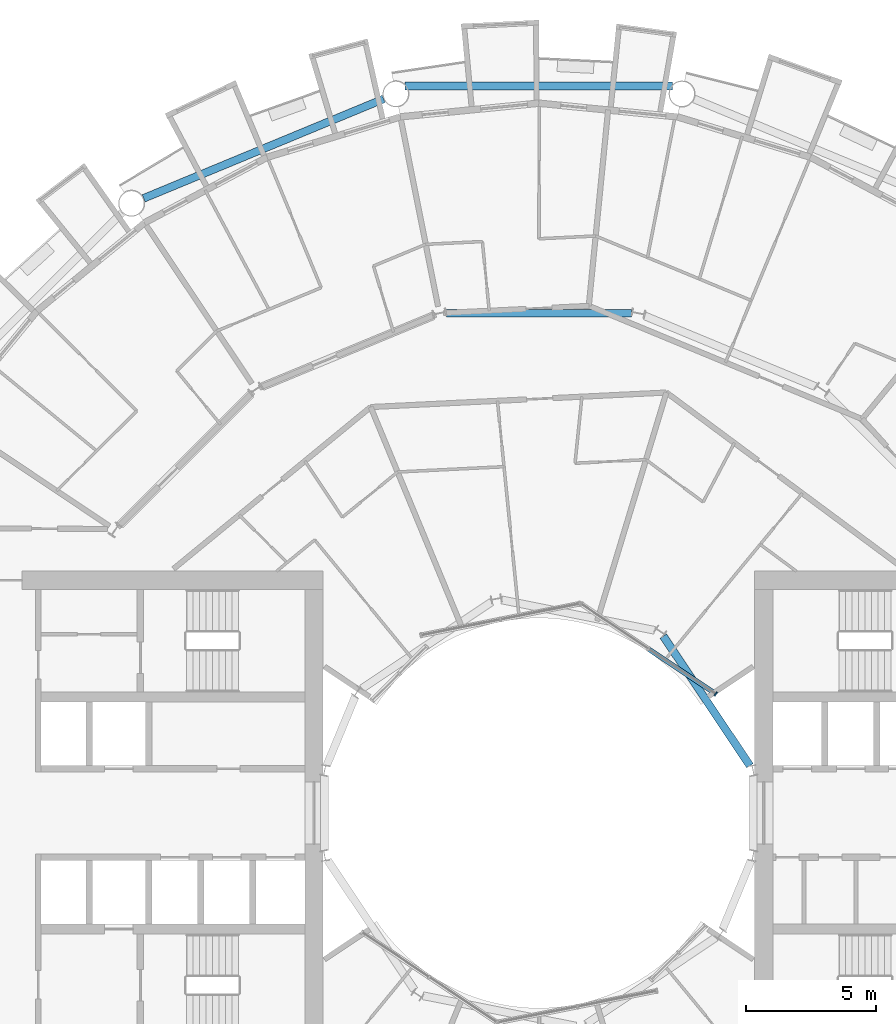
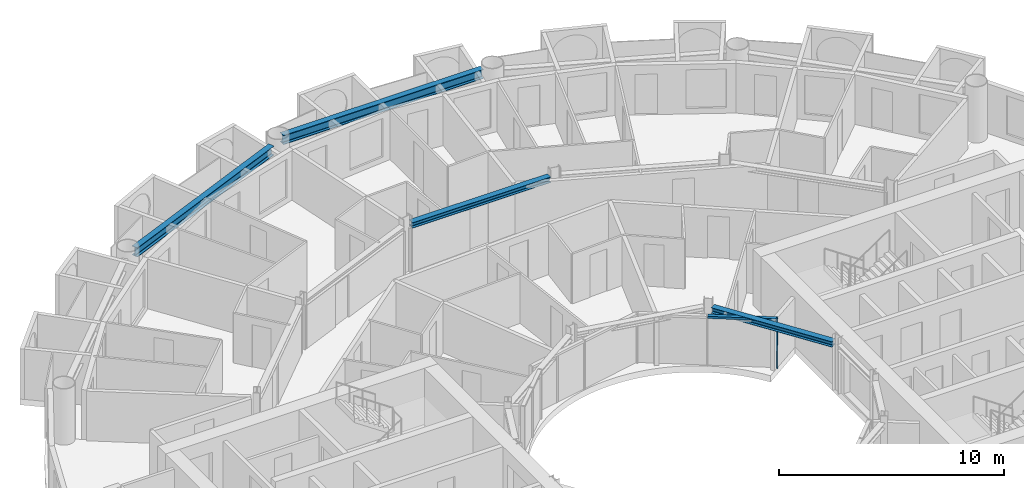
# One storey, part 8 of 26: 4 beams, 2 members, 1 element without a shape of its own.
"""IFC4 building model written with IfcOpenShell, lengths in metres."""

import ifcopenshell
import ifcopenshell.guid

model = None  # the IFC model being written
_history = None  # IfcOwnerHistory: only IFC2X3 demands one
_inside = {}  # id of a spatial element -> (the spatial element, [elements in it])
_under = {}  # id of a project, library or spatial element -> (it, [spatial elements below it])
_declared = {}  # id of a project -> (the project, [libraries it declares])
_typed = {}  # id of a type object -> (the type object, [elements of that type])
_made_of = {}  # id of a material, layer set ... -> (it, [elements and type objects made of it])


def new_model(schema):
    """Start an empty IFC model of exactly this schema.

    Asked for "IFC4X3", IfcOpenShell would pick the latest addendum, in which some entities
    have other attributes; the version numbers below select the first issue.
    IFC2X3 requires an IfcOwnerHistory on every rooted entity: one is made here for all.
    """
    global model, _history
    if schema == "IFC4X3":
        model = ifcopenshell.file(schema_version=(4, 3, 0, 0))
    else:
        model = ifcopenshell.file(schema=schema)
    _inside.clear()
    _under.clear()
    _declared.clear()
    _typed.clear()
    _made_of.clear()
    _history = None
    if model.schema == "IFC2X3":
        org = make("IfcOrganization", Name="unknown")
        user = make(
            "IfcPersonAndOrganization",
            ThePerson=make("IfcPerson", FamilyName="unknown"),
            TheOrganization=org,
        )
        app = make(
            "IfcApplication",
            ApplicationDeveloper=org,
            Version="unknown",
            ApplicationFullName="unknown",
            ApplicationIdentifier="unknown",
        )
        _history = make(
            "IfcOwnerHistory",
            OwningUser=user,
            OwningApplication=app,
            ChangeAction="ADDED",
            CreationDate=0,
        )
    return model


def make(cls, **values):
    """One entity of the class cls with the attributes given. An attribute that is None is left unset."""
    return model.create_entity(
        cls, **{name: value for name, value in values.items() if value is not None}
    )


def rooted(cls, **values):
    """An entity with a GlobalId (a new one), such as an element, a storey or a relation."""
    return make(cls, GlobalId=ifcopenshell.guid.new(), OwnerHistory=_history, **values)


def si_unit(unit_type, name, prefix=None):
    """IfcSIUnit, for example si_unit("LENGTHUNIT", "METRE", prefix="MILLI")."""
    return make("IfcSIUnit", UnitType=unit_type, Prefix=prefix, Name=name)


def assignment(units):
    """IfcUnitAssignment: the units of a project."""
    return None if units is None else make("IfcUnitAssignment", Units=units)


def point(xyz):
    """IfcCartesianPoint."""
    return None if xyz is None else make("IfcCartesianPoint", Coordinates=xyz)


def direction(xyz):
    """IfcDirection."""
    return None if xyz is None else make("IfcDirection", DirectionRatios=xyz)


def frame(location, z_axis=None, x_axis=None):
    """IfcAxis2Placement3D, a coordinate frame: its origin and axes. An axis left out is left unset."""
    return make(
        "IfcAxis2Placement3D",
        Location=point(location),
        Axis=direction(z_axis),
        RefDirection=direction(x_axis),
    )


def frame_2d(location, x_axis=None):
    """IfcAxis2Placement2D, a coordinate frame in the plane: its origin and x axis."""
    return make(
        "IfcAxis2Placement2D", Location=point(location), RefDirection=direction(x_axis)
    )


def origin():
    """The frame at (0, 0, 0) with its axes left unset."""
    return frame((0.0, 0.0, 0.0))


def origin_2d():
    """The frame at (0, 0) in the plane with its x axis left unset."""
    return frame_2d((0.0, 0.0))


def place(relative_to, where):
    """IfcLocalPlacement: puts the frame where relative to a parent placement (None: the world)."""
    return make(
        "IfcLocalPlacement", PlacementRelTo=relative_to, RelativePlacement=where
    )


def context(
    kind, dimensions, precision=None, world=None, true_north=None, identifier=None
):
    """IfcGeometricRepresentationContext, for example the 3D "Model" context."""
    return make(
        "IfcGeometricRepresentationContext",
        ContextIdentifier=identifier,
        ContextType=kind,
        CoordinateSpaceDimension=dimensions,
        Precision=precision,
        WorldCoordinateSystem=world,
        TrueNorth=true_north,
    )


def subcontext(parent, identifier, kind, view, scale=None):
    """IfcGeometricRepresentationSubContext, for example "Body" below "Model"."""
    return make(
        "IfcGeometricRepresentationSubContext",
        ContextIdentifier=identifier,
        ContextType=kind,
        ParentContext=parent,
        TargetScale=scale,
        TargetView=view,
    )


def project(units=None, contexts=None):
    """IfcProject with its units and contexts."""
    return rooted(
        "IfcProject",
        Name="project",
        RepresentationContexts=contexts,
        UnitsInContext=assignment(units),
    )


def spatial(cls, under=None, at=None, **own):
    """A site, building, storey or space (cls), placed at a placement, below another one or the project."""
    s = rooted(cls, ObjectPlacement=at, **own)
    if under is not None:
        _under.setdefault(under.id(), (under, []))[1].append(s)
    return s


def profile(cls, at=None, kind="AREA", **sizes):
    """A parametric profile (cls). Its sizes go by their IFC names, for example OverallWidth=200.0."""
    return make(cls, ProfileType=kind, Position=at, **sizes)


def rectangle(**sizes):
    """IfcRectangleProfileDef."""
    return profile("IfcRectangleProfileDef", **sizes)


def i_section(**sizes):
    """IfcIShapeProfileDef."""
    return profile("IfcIShapeProfileDef", **sizes)


def extrude(swept, where, along, depth):
    """IfcExtrudedAreaSolid: the profile swept, set in the frame where, extruded along a direction by depth."""
    return make(
        "IfcExtrudedAreaSolid",
        SweptArea=swept,
        Position=where,
        ExtrudedDirection=direction(along),
        Depth=depth,
    )


def shape(context_of_items, identifier, shape_type, items):
    """IfcShapeRepresentation: the items that make up one representation, for example the "Body"."""
    return make(
        "IfcShapeRepresentation",
        ContextOfItems=context_of_items,
        RepresentationIdentifier=identifier,
        RepresentationType=shape_type,
        Items=items,
    )


def material(Name=None, Category=None):
    """IfcMaterial."""
    return make("IfcMaterial", Name=Name, Category=Category)


def layer(
    of_material, thickness, ventilated=None, Name=None, Category=None, Priority=None
):
    """IfcMaterialLayer: one layer of a wall or slab, of a material (None: an air gap)."""
    return make(
        "IfcMaterialLayer",
        Material=of_material,
        LayerThickness=thickness,
        IsVentilated=ventilated,
        Name=Name,
        Category=Category,
        Priority=Priority,
    )


def layer_set(layers, Name=None):
    """IfcMaterialLayerSet."""
    return make("IfcMaterialLayerSet", MaterialLayers=layers, LayerSetName=Name)


def material_profile(
    of_material, cross_section, Name=None, Category=None, Priority=None
):
    """IfcMaterialProfile: a cross section and its material."""
    return make(
        "IfcMaterialProfile",
        Name=Name,
        Material=of_material,
        Profile=cross_section,
        Priority=Priority,
        Category=Category,
    )


def profile_set(profiles, Name=None, composite=None):
    """IfcMaterialProfileSet."""
    return make(
        "IfcMaterialProfileSet",
        Name=Name,
        MaterialProfiles=profiles,
        CompositeProfile=composite,
    )


def made_of(thing, what):
    """Note that an element or type object is made of a material, layer set ...; save() writes the relation."""
    if what is not None:
        _made_of.setdefault(what.id(), (what, []))[1].append(thing)
    return thing


def type_object(cls, material=None, **own):
    """A type object (cls), such as IfcWallType, which elements share."""
    return made_of(rooted(cls, **own), material)


def element(
    cls,
    number,
    at=None,
    inside=None,
    cuts=None,
    type_object=None,
    material=None,
    context=None,
    identifier="Body",
    shape_type=None,
    held_by="IfcProductDefinitionShape",
    body=None,
    shapes=None,
    **own,
):
    """One element of the class cls, such as IfcWall. Its Tag is "e" and its number.

    at: its placement. inside: the storey or other place that contains it. cuts: it is an
    opening in that element (IfcRelVoidsElement). A single representation is given by context,
    identifier, shape_type and body (its items); several are given by shapes. held_by: the class
    of the entity that holds the representations. save() writes the other relations.
    """
    e = rooted(cls, Tag="e%d" % number, ObjectPlacement=at, **own)
    if body is not None:
        shapes = [shape(context, identifier, shape_type, body)]
    if shapes is not None:
        e.Representation = make(held_by, Representations=shapes)
    if inside is not None:
        _inside.setdefault(inside.id(), (inside, []))[1].append(e)
    if cuts is not None:
        rooted(
            "IfcRelVoidsElement", RelatingBuildingElement=cuts, RelatedOpeningElement=e
        )
    if type_object is not None:
        _typed.setdefault(type_object.id(), (type_object, []))[1].append(e)
    return made_of(e, material)


def aggregate(whole, parts):
    """IfcRelAggregates: a whole, such as a stair, and the parts it consists of."""
    return rooted("IfcRelAggregates", RelatingObject=whole, RelatedObjects=parts)


def save(model, path):
    """Write the relations noted so far, then the file.

    IfcRelAggregates (storeys below a building ...), IfcRelContainedInSpatialStructure (elements
    in a storey), IfcRelDefinesByType, IfcRelAssociatesMaterial and IfcRelDeclares: one each for
    every whole, place, type object, material and project.
    """
    for whole, parts in _under.values():
        aggregate(whole, parts)
    for where, things in _inside.values():
        rooted(
            "IfcRelContainedInSpatialStructure",
            RelatedElements=things,
            RelatingStructure=where,
        )
    for kind, things in _typed.values():
        rooted("IfcRelDefinesByType", RelatedObjects=things, RelatingType=kind)
    for what, things in _made_of.values():
        rooted("IfcRelAssociatesMaterial", RelatedObjects=things, RelatingMaterial=what)
    for by, libraries in _declared.values():
        rooted("IfcRelDeclares", RelatingContext=by, RelatedDefinitions=libraries)
    model.write(path)


model = new_model("IFC4")

# Units and contexts
model_context = context("Model", 3, precision=1e-05, world=origin(), true_north=direction((0.0, 1.0)))
body_context = subcontext(model_context, "Body", "Model", "MODEL_VIEW")
ifc_project = project(units=[si_unit("LENGTHUNIT", "METRE"), si_unit("AREAUNIT", "SQUARE_METRE"), si_unit("VOLUMEUNIT", "CUBIC_METRE"), si_unit("PLANEANGLEUNIT", "RADIAN"), si_unit("MASSUNIT", "GRAM", prefix="KILO")], contexts=[model_context])

# Site, building, storey
site_placement = place(None, origin())
site = spatial("IfcSite", under=ifc_project, at=site_placement, CompositionType="ELEMENT")
building_placement = place(site_placement, origin())
building = spatial("IfcBuilding", under=site, at=building_placement, Name="Maasbend Ring Residences", CompositionType="ELEMENT")
storey_placement = place(building_placement, frame((0.0, 0.0, 72.75)))
storey = spatial("IfcBuildingStorey", under=building, at=storey_placement, Name="L20", CompositionType="ELEMENT", Elevation=72.75)

# Curtain wall, members
ifc_material_1 = material(Name="Aluminium and clear glass", Category="aluminium")
ifc_layer = layer(ifc_material_1, 0.179931640625)
ifc_layer_set = layer_set([ifc_layer], Name="CW-W")
curtain_wall_type = type_object("IfcCurtainWallType", Name="CW-W", PredefinedType="NOTDEFINED", material=ifc_layer_set)
curtain_wall_placement = place(storey_placement, origin())
curtain_wall = element("IfcCurtainWall", 1, at=curtain_wall_placement, inside=storey, type_object=curtain_wall_type, Name="Well curtain wall N1", PredefinedType="NOTDEFINED")
ifc_material_2 = material(Name="Aluminium 6063-T6", Category="aluminium")
ifc_material_profile_1 = material_profile(ifc_material_2, rectangle(XDim=0.179931640625, YDim=0.06005859375, at=origin_2d()), Name="AL 180x60")
ifc_profile_set_1 = profile_set([ifc_material_profile_1], Name="Aluminium 6063-T6")
member_type_1 = type_object("IfcMemberType", Name="CWM-W", PredefinedType="MULLION", material=ifc_profile_set_1)
member_1_placement = place(storey_placement, frame((6.805908203125, 4.580810546875, 0.0), z_axis=(0.0, 0.0, 1.0), x_axis=(-0.55557023302, -0.831469612303, 0.0)))
member_1 = element("IfcMember", 2, at=member_1_placement, type_object=member_type_1, Name="Mullion well face", PredefinedType="MULLION", context=body_context, shape_type="SweptSolid", body=[
    extrude(rectangle(XDim=0.179931640625, YDim=0.06005859375, at=origin_2d()), origin(), (0.0, 0.0, 1.0), 2.699951171875),
])
ifc_material_3 = material(Name="Aluminium 6063-T6", Category="aluminium")
ifc_material_profile_2 = material_profile(ifc_material_3, rectangle(XDim=0.179931640625, YDim=0.1201171875, at=origin_2d()), Name="AL 180x120")
ifc_profile_set_2 = profile_set([ifc_material_profile_2], Name="Aluminium 6063-T6")
member_type_2 = type_object("IfcMemberType", Name="CWT-W", PredefinedType="USERDEFINED", material=ifc_profile_set_2)
member_2_placement = place(storey_placement, frame((6.781005859375, 4.59765625, 2.639892578125), z_axis=(-0.831496422459, 0.555530106689, 0.0), x_axis=(-0.555530106689, -0.831496422459, 0.0)))
member_2 = element("IfcMember", 3, at=member_2_placement, type_object=member_type_2, Name="Transom well face", ObjectType="TRANSOM", PredefinedType="USERDEFINED", context=body_context, shape_type="SweptSolid", body=[
    extrude(rectangle(XDim=0.179931640625, YDim=0.1201171875, at=origin_2d()), origin(), (0.0, 0.0, 1.0), 3.053955078125),
])
aggregate(curtain_wall, [member_1, member_2])

# Beams
ifc_material_4 = material(Name="Steel S355J2", Category="steel")
ifc_material_profile_3 = material_profile(ifc_material_4, i_section(OverallWidth=0.300048828125, OverallDepth=0.300048828125, WebThickness=0.010986328125, FlangeThickness=0.01904296875, FilletRadius=0.027099609375, at=origin_2d()), Name="HEB 300")
ifc_profile_set_3 = profile_set([ifc_material_profile_3], Name="Steel S355J2")
beam_type_1 = type_object("IfcBeamType", Name="Corridor ring beam HEB 300", PredefinedType="BEAM", material=ifc_profile_set_3)
beam_1_placement = place(storey_placement, frame((3.556640625, 19.223388671875, 2.550048828125), z_axis=(-1.0, 0.0, 0.0), x_axis=(0.0, -1.0, 0.0)))
element("IfcBeam", 4, at=beam_1_placement, inside=storey, type_object=beam_type_1, Name="Corridor ring beam", PredefinedType="BEAM", context=body_context, shape_type="SweptSolid", body=[
    extrude(i_section(OverallWidth=0.300048828125, OverallDepth=0.300048828125, WebThickness=0.010986328125, FlangeThickness=0.01904296875, FilletRadius=0.027099609375, at=origin_2d()), origin(), (0.0, 0.0, 1.0), 7.11328125),
])
ifc_material_5 = material(Name="Steel S355J2", Category="steel")
ifc_material_profile_4 = material_profile(ifc_material_5, i_section(OverallWidth=0.300048828125, OverallDepth=0.5, WebThickness=0.014404296875, FlangeThickness=0.028076171875, FilletRadius=0.027099609375, at=origin_2d()), Name="HEB 500")
ifc_profile_set_4 = profile_set([ifc_material_profile_4], Name="Steel S355J2")
beam_type_2 = type_object("IfcBeamType", Name="Spandrel ring beam HEB 500", PredefinedType="SPANDREL", material=ifc_profile_set_4)
beam_2_placement = place(storey_placement, frame((5.1435546875, 27.9580078125, 2.449951171875), z_axis=(-1.0, 0.0, 0.0), x_axis=(0.0, -1.0, 0.0)))
element("IfcBeam", 5, at=beam_2_placement, inside=storey, type_object=beam_type_2, Name="Spandrel ring beam", PredefinedType="SPANDREL", context=body_context, shape_type="SweptSolid", body=[
    extrude(i_section(OverallWidth=0.300048828125, OverallDepth=0.5, WebThickness=0.014404296875, FlangeThickness=0.028076171875, FilletRadius=0.027099609375, at=origin_2d()), origin(), (0.0, 0.0, 1.0), 10.287109375),
])
beam_3_placement = place(storey_placement, frame((-5.970703125, 27.463623046875, 2.449951171875), z_axis=(-0.923886337442, -0.382667003395, 0.0), x_axis=(0.382667003395, -0.923886337442, 0.0)))
element("IfcBeam", 6, at=beam_3_placement, inside=storey, type_object=beam_type_2, Name="Spandrel ring beam", PredefinedType="SPANDREL", context=body_context, shape_type="SweptSolid", body=[
    extrude(i_section(OverallWidth=0.300048828125, OverallDepth=0.5, WebThickness=0.014404296875, FlangeThickness=0.028076171875, FilletRadius=0.027099609375, at=origin_2d()), origin(), (0.0, 0.0, 1.0), 9.9873046875),
])
ifc_material_6 = material(Name="Steel S355J2", Category="steel")
ifc_material_profile_5 = material_profile(ifc_material_6, i_section(OverallWidth=0.300048828125, OverallDepth=0.300048828125, WebThickness=0.010986328125, FlangeThickness=0.01904296875, FilletRadius=0.027099609375, at=origin_2d()), Name="HEB 300")
ifc_profile_set_5 = profile_set([ifc_material_profile_5], Name="Steel S355J2")
beam_type_3 = type_object("IfcBeamType", Name="Well edge beam HEB 300", PredefinedType="BEAM", material=ifc_profile_set_5)
beam_4_placement = place(storey_placement, frame((8.118408203125, 1.81884765625, 2.550048828125), z_axis=(-0.555592533493, 0.83145471117, 0.0), x_axis=(-0.83145471117, -0.555592533493, 0.0)))
element("IfcBeam", 7, at=beam_4_placement, inside=storey, type_object=beam_type_3, Name="Well edge beam", PredefinedType="BEAM", context=body_context, shape_type="SweptSolid", body=[
    extrude(i_section(OverallWidth=0.300048828125, OverallDepth=0.300048828125, WebThickness=0.010986328125, FlangeThickness=0.01904296875, FilletRadius=0.027099609375, at=origin_2d()), origin(), (0.0, 0.0, 1.0), 5.995849609375),
])

save(model, "model.ifc")
